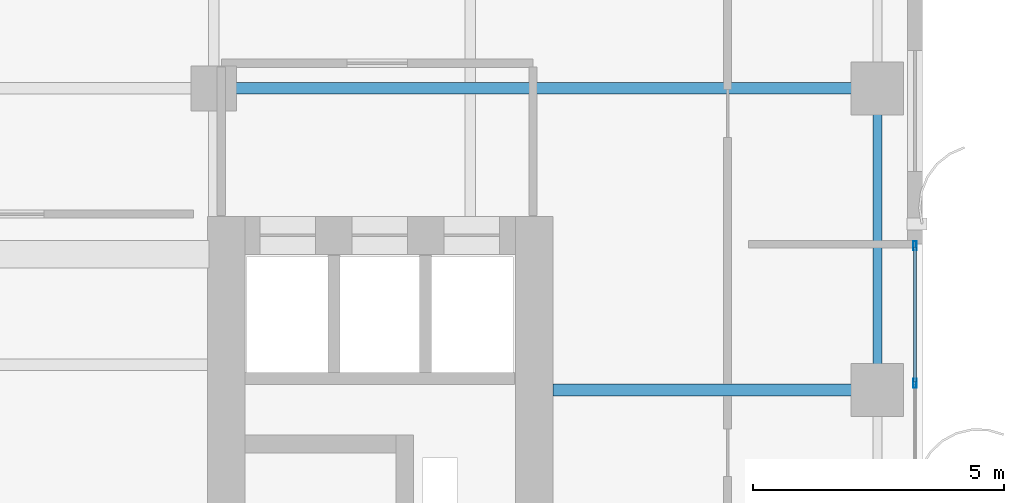
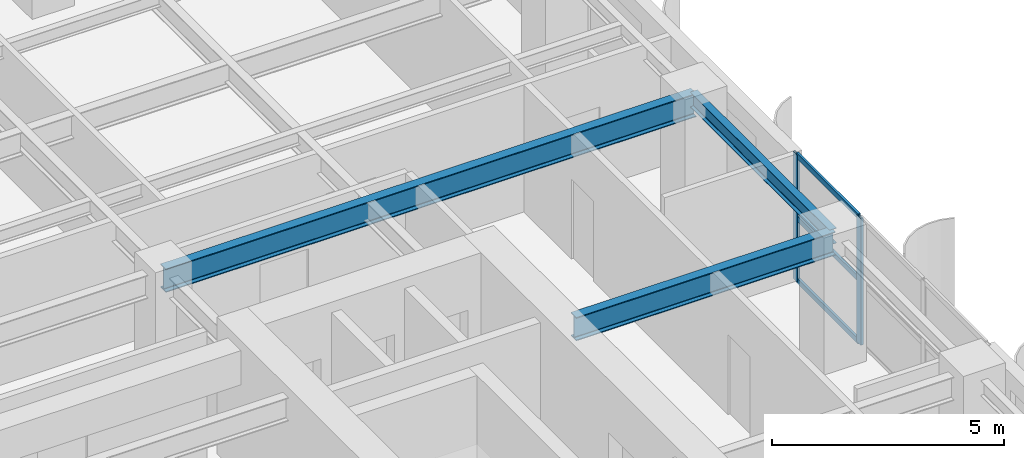
# One storey, part 12 of 26: 5 members, 3 beams, 1 element without a shape of its own.
"""IFC4 building model written with IfcOpenShell, lengths in metres."""

from ifc_helpers import new_model, si_unit, direction, frame, origin, origin_2d, place, context, subcontext, project, spatial, hollow_rectangle, i_section, extrude, source, transform, mapped, material, layer, layer_set, material_profile, profile_set, type_object, element, aggregate, save


model = new_model("IFC4")

# Units and contexts
model_context = context("Model", 3, precision=1e-05, world=origin(), true_north=direction((0.0, 1.0)))
body_context = subcontext(model_context, "Body", "Model", "MODEL_VIEW")
ifc_project = project(units=[si_unit("LENGTHUNIT", "METRE"), si_unit("AREAUNIT", "SQUARE_METRE"), si_unit("VOLUMEUNIT", "CUBIC_METRE"), si_unit("PLANEANGLEUNIT", "RADIAN"), si_unit("MASSUNIT", "GRAM", prefix="KILO")], contexts=[model_context])

# Site, building, storey
site_placement = place(None, origin())
site = spatial("IfcSite", under=ifc_project, at=site_placement, CompositionType="ELEMENT")
building_placement = place(site_placement, origin())
building = spatial("IfcBuilding", under=site, at=building_placement, Name="Khoralis Quay Care Tower", CompositionType="ELEMENT")
storey_placement = place(building_placement, frame((0.0, 0.0, 126.89990234375)))
storey = spatial("IfcBuildingStorey", under=building, at=storey_placement, Name="L33", CompositionType="ELEMENT", Elevation=126.89990234375)

# Beams
ifc_material_1 = material(Name="Steel S355", Category="steel")
ifc_material_profile_1 = material_profile(ifc_material_1, i_section(OverallWidth=0.179931640625, OverallDepth=0.39990234375, WebThickness=0.008544921875, FlangeThickness=0.013427734375, FilletRadius=0.02099609375, at=origin_2d()), Name="Steel S355")
ifc_profile_set_1 = profile_set([ifc_material_profile_1], Name="Steel S355")
beam_type_1 = type_object("IfcBeamType", Name="BM-IPE400", PredefinedType="SPANDREL", material=ifc_profile_set_1)
shared_shape_1 = source(origin(), body_context, "Body", "SweptSolid", [
    extrude(i_section(OverallWidth=0.179931640625, OverallDepth=0.39990234375, WebThickness=0.008544921875, FlangeThickness=0.013427734375, FilletRadius=0.02099609375, at=origin_2d()), origin(), (0.0, 0.0, 1.0), 6.0),
])
beam_1_placement = place(storey_placement, frame((44.10009765625, 24.0, 3.14013671875), z_axis=(0.0, 1.0, 0.0), x_axis=(-1.0, 0.0, 0.0)))
element("IfcBeam", 1, at=beam_1_placement, inside=storey, type_object=beam_type_1, Name="BM-TSP-L33-19", PredefinedType="SPANDREL", context=body_context, shape_type="MappedRepresentation", body=[
    mapped(shared_shape_1, transform((0.0, 0.0, 0.0), scale=1.0)),
])
ifc_material_profile_2 = material_profile(ifc_material_1, i_section(OverallWidth=0.22998046875, OverallDepth=0.616943359375, WebThickness=0.01318359375, FlangeThickness=0.022216796875, FilletRadius=0.01806640625, at=origin_2d()), Name="Steel S355")
ifc_profile_set_2 = profile_set([ifc_material_profile_2], Name="Steel S355")
beam_type_2 = type_object("IfcBeamType", Name="BM-W610X140", PredefinedType="BEAM", material=ifc_profile_set_2)
shared_shape_2 = source(origin(), body_context, "Body", "SweptSolid", [
    extrude(i_section(OverallWidth=0.22998046875, OverallDepth=0.616943359375, WebThickness=0.01318359375, FlangeThickness=0.022216796875, FilletRadius=0.01806640625, at=origin_2d()), origin(), (0.0, 0.0, 1.0), 13.2001953125),
])
beam_2_placement = place(storey_placement, frame((30.89990234375, 30.0, 3.031494140625), z_axis=(1.0, 0.0, 0.0), x_axis=(0.0, 1.0, 0.0)))
element("IfcBeam", 2, at=beam_2_placement, inside=storey, type_object=beam_type_2, Name="BM-TGXE-L33-300", PredefinedType="BEAM", context=body_context, shape_type="MappedRepresentation", body=[
    mapped(shared_shape_2, transform((0.0, 0.0, 0.0), scale=1.0)),
])
shared_shape_3 = source(origin(), body_context, "Body", "SweptSolid", [
    extrude(i_section(OverallWidth=0.22998046875, OverallDepth=0.616943359375, WebThickness=0.01318359375, FlangeThickness=0.022216796875, FilletRadius=0.01806640625, at=origin_2d()), origin(), (0.0, 0.0, 1.0), 6.4521484375),
])
beam_3_placement = place(storey_placement, frame((37.64794921875, 24.0, 3.031494140625), z_axis=(1.0, 0.0, 0.0), x_axis=(0.0, 1.0, 0.0)))
element("IfcBeam", 3, at=beam_3_placement, inside=storey, type_object=beam_type_2, Name="BM-TGXE-L33-240", PredefinedType="BEAM", context=body_context, shape_type="MappedRepresentation", body=[
    mapped(shared_shape_3, transform((0.0, 0.0, 0.0), scale=1.0)),
])

# Curtain wall, members
ifc_material_2 = material(Name="Pale anodised aluminium", Category="aluminium")
ifc_layer = layer(ifc_material_2, 0.169921875)
ifc_layer_set = layer_set([ifc_layer], Name="Pale anodised aluminium")
curtain_wall_type = type_object("IfcCurtainWallType", Name="CW-SYS-Z2", PredefinedType="NOTDEFINED", material=ifc_layer_set)
curtain_wall_placement = place(storey_placement, origin())
curtain_wall = element("IfcCurtainWall", 4, at=curtain_wall_placement, inside=storey, type_object=curtain_wall_type, Name="L33 Unitised Curtain Wall CW-L33-P1-E5", PredefinedType="NOTDEFINED")
ifc_material_profile_3 = material_profile(ifc_material_2, hollow_rectangle(XDim=0.06494140625, YDim=0.179931640625, WallThickness=0.00390625, at=origin_2d()), Name="Pale anodised aluminium")
ifc_profile_set_3 = profile_set([ifc_material_profile_3], Name="Pale anodised aluminium")
member_type_1 = type_object("IfcMemberType", Name="CW-MUL-180", PredefinedType="MULLION", material=ifc_profile_set_3)
shared_shape_4 = source(origin(), body_context, "Body", "SweptSolid", [
    extrude(hollow_rectangle(XDim=0.06494140625, YDim=0.179931640625, WallThickness=0.00390625, at=origin_2d()), origin(), (0.0, 0.0, 1.0), 3.340087890625),
])
member_1_placement = place(storey_placement, frame((44.85009765625, 24.13330078125, 0.0), z_axis=(0.0, 0.0, 1.0), x_axis=(-1.0, 0.0, 0.0)))
member_1 = element("IfcMember", 5, at=member_1_placement, type_object=member_type_1, Name="CW2 mullion 3", PredefinedType="MULLION", context=body_context, shape_type="MappedRepresentation", body=[
    mapped(shared_shape_4, transform((0.0, 0.0, 0.0), scale=1.0)),
])
member_2_placement = place(storey_placement, frame((44.85009765625, 26.8701171875, 0.0), z_axis=(0.0, 0.0, 1.0), x_axis=(-1.0, 0.0, 0.0)))
member_2 = element("IfcMember", 6, at=member_2_placement, type_object=member_type_1, Name="CW2 mullion 4", PredefinedType="MULLION", context=body_context, shape_type="MappedRepresentation", body=[
    mapped(shared_shape_4, transform((0.0, 0.0, 0.0), scale=1.0)),
])
ifc_material_profile_4 = material_profile(ifc_material_2, hollow_rectangle(XDim=0.06005859375, YDim=0.139892578125, WallThickness=0.00390625, at=origin_2d()), Name="Pale anodised aluminium")
ifc_profile_set_4 = profile_set([ifc_material_profile_4], Name="Pale anodised aluminium")
member_type_2 = type_object("IfcMemberType", Name="CW-TRN-140", PredefinedType="USERDEFINED", material=ifc_profile_set_4)
shared_shape_5 = source(origin(), body_context, "Body", "SweptSolid", [
    extrude(hollow_rectangle(XDim=0.06005859375, YDim=0.139892578125, WallThickness=0.00390625, at=origin_2d()), origin(), (0.0, 0.0, 1.0), 2.6767578125),
])
member_3_placement = place(storey_placement, frame((44.85009765625, 24.163330078125, 0.030029296875), z_axis=(0.0, 1.0, 0.0), x_axis=(-1.0, 0.0, 0.0)))
member_3 = element("IfcMember", 7, at=member_3_placement, type_object=member_type_2, Name="CW2 transom 3.1", ObjectType="TRANSOM", PredefinedType="USERDEFINED", context=body_context, shape_type="MappedRepresentation", body=[
    mapped(shared_shape_5, transform((0.0, 0.0, 0.0), scale=1.0)),
])
member_4_placement = place(storey_placement, frame((44.85009765625, 24.163330078125, 1.670166015625), z_axis=(0.0, 1.0, 0.0), x_axis=(-1.0, 0.0, 0.0)))
member_4 = element("IfcMember", 8, at=member_4_placement, type_object=member_type_2, Name="CW2 transom 3.2", ObjectType="TRANSOM", PredefinedType="USERDEFINED", context=body_context, shape_type="MappedRepresentation", body=[
    mapped(shared_shape_5, transform((0.0, 0.0, 0.0), scale=1.0)),
])
member_5_placement = place(storey_placement, frame((44.85009765625, 24.163330078125, 3.31005859375), z_axis=(0.0, 1.0, 0.0), x_axis=(-1.0, 0.0, 0.0)))
member_5 = element("IfcMember", 9, at=member_5_placement, type_object=member_type_2, Name="CW2 transom 3.3", ObjectType="TRANSOM", PredefinedType="USERDEFINED", context=body_context, shape_type="MappedRepresentation", body=[
    mapped(shared_shape_5, transform((0.0, 0.0, 0.0), scale=1.0)),
])
aggregate(curtain_wall, [member_1, member_2, member_3, member_4, member_5])

save(model, "model.ifc")
